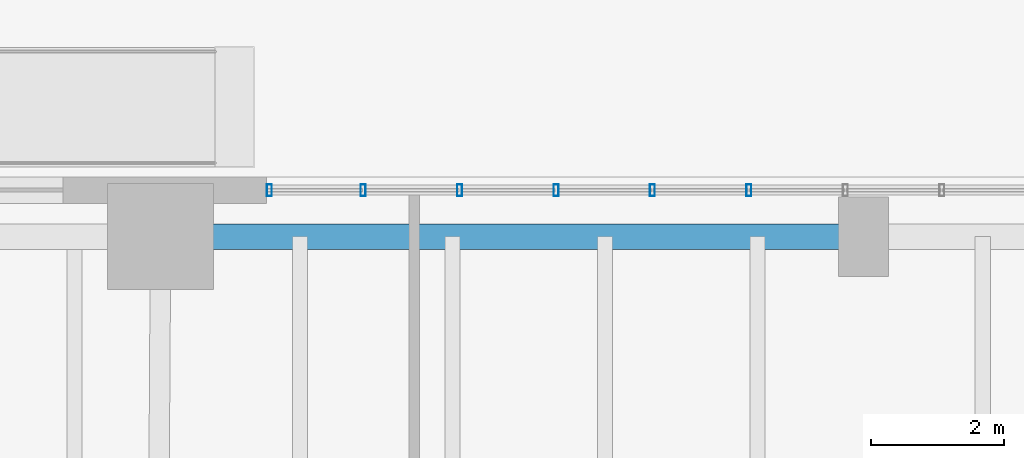
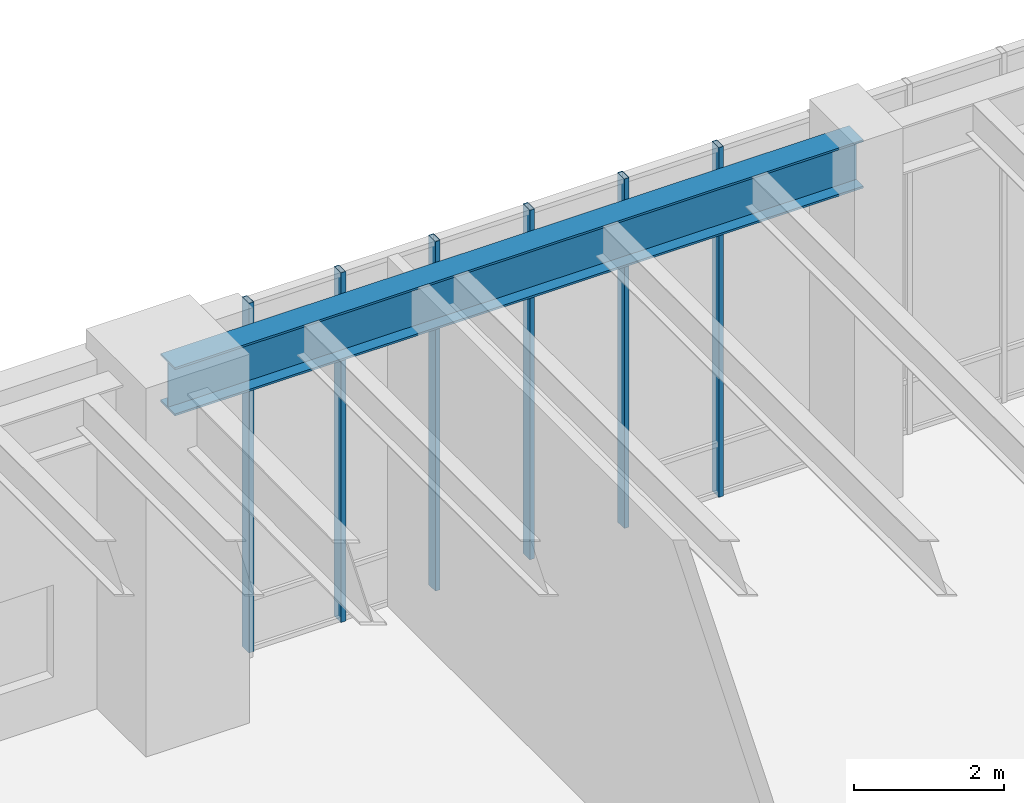
# One storey, part 9 of 28: 6 members, 1 beam, 1 element without a shape of its own.
"""IFC4 building model written with IfcOpenShell, lengths in metres."""

from ifc_helpers import new_model, si_unit, direction, frame, origin, origin_2d, place, context, subcontext, project, spatial, hollow_rectangle, i_section, extrude, material, layer, layer_set, material_profile, profile_set, type_object, element, aggregate, save


model = new_model("IFC4")

# Units and contexts
model_context = context("Model", 3, precision=1e-05, world=origin(), true_north=direction((0.0, 1.0)))
body_context = subcontext(model_context, "Body", "Model", "MODEL_VIEW")
ifc_project = project(units=[si_unit("LENGTHUNIT", "METRE"), si_unit("AREAUNIT", "SQUARE_METRE"), si_unit("VOLUMEUNIT", "CUBIC_METRE"), si_unit("PLANEANGLEUNIT", "RADIAN"), si_unit("MASSUNIT", "GRAM", prefix="KILO"), si_unit("THERMODYNAMICTEMPERATUREUNIT", "KELVIN"), si_unit("POWERUNIT", "WATT")], contexts=[model_context])

# Site, building, storey
site_placement = place(None, origin())
site = spatial("IfcSite", under=ifc_project, at=site_placement, CompositionType="ELEMENT")
building_placement = place(site_placement, origin())
building = spatial("IfcBuilding", under=site, at=building_placement, Name="Skarre Station Tower", CompositionType="ELEMENT")
storey_placement = place(building_placement, origin())
storey = spatial("IfcBuildingStorey", under=building, at=storey_placement, Name="L01", CompositionType="ELEMENT", Elevation=0.0)

# Curtain wall, members
ifc_material_1 = material(Name="Thermally Broken Bronze-Anodized Aluminium & Triple Low-E Glass", Category="aluminium")
ifc_layer = layer(ifc_material_1, 0.239990234375, Name="Thermally Broken Bronze-Anodized Aluminium & Triple Low-E Glass")
ifc_layer_set = layer_set([ifc_layer], Name="Thermally Broken Bronze-Anodized Aluminium & Triple Low-E Glass")
curtain_wall_type = type_object("IfcCurtainWallType", Name="Station Concourse Monumental Unitised Curtain Wall", PredefinedType="NOTDEFINED", material=ifc_layer_set)
curtain_wall_placement = place(storey_placement, origin())
curtain_wall = element("IfcCurtainWall", 1, at=curtain_wall_placement, inside=storey, type_object=curtain_wall_type, Name="L01 North Arcade West Curtain Wall", PredefinedType="NOTDEFINED")
ifc_material_2 = material(Name="Anodized Aluminium 6063-T6", Category="aluminium")
ifc_material_profile_1 = material_profile(ifc_material_2, hollow_rectangle(XDim=0.074951171875, YDim=0.179931640625, WallThickness=0.00390625, at=origin_2d()), Name="Anodized Aluminium 6063-T6")
ifc_profile_set_1 = profile_set([ifc_material_profile_1], Name="Anodized Aluminium 6063-T6")
member_type = type_object("IfcMemberType", Name="Curtain-Wall Heavy Concourse Mullion 180x75", PredefinedType="MULLION", material=ifc_profile_set_1)
member_1_placement = place(storey_placement, frame((18.0400390625, 47.800048828125, 0.0), z_axis=(0.0, 0.0, 1.0), x_axis=(1.0, 0.0, 0.0)))
member_1 = element("IfcMember", 2, at=member_1_placement, type_object=member_type, Name="L01 North Arcade West Curtain Wall Mullion 1", PredefinedType="MULLION", context=body_context, shape_type="SweptSolid", body=[
    extrude(hollow_rectangle(XDim=0.074951171875, YDim=0.179931640625, WallThickness=0.00390625, at=origin_2d()), origin(), (0.0, 0.0, 1.0), 5.68994140625),
])
member_2_placement = place(storey_placement, frame((19.455078125, 47.800048828125, 0.0), z_axis=(0.0, 0.0, 1.0), x_axis=(1.0, 0.0, 0.0)))
member_2 = element("IfcMember", 3, at=member_2_placement, type_object=member_type, Name="L01 North Arcade West Curtain Wall Mullion 2", PredefinedType="MULLION", context=body_context, shape_type="SweptSolid", body=[
    extrude(hollow_rectangle(XDim=0.074951171875, YDim=0.179931640625, WallThickness=0.00390625, at=origin_2d()), origin(), (0.0, 0.0, 1.0), 5.68994140625),
])
member_3_placement = place(storey_placement, frame((20.908935546875, 47.800048828125, 0.0), z_axis=(0.0, 0.0, 1.0), x_axis=(1.0, 0.0, 0.0)))
member_3 = element("IfcMember", 4, at=member_3_placement, type_object=member_type, Name="L01 North Arcade West Curtain Wall Mullion 3", PredefinedType="MULLION", context=body_context, shape_type="SweptSolid", body=[
    extrude(hollow_rectangle(XDim=0.074951171875, YDim=0.179931640625, WallThickness=0.00390625, at=origin_2d()), origin(), (0.0, 0.0, 1.0), 5.68994140625),
])
member_4_placement = place(storey_placement, frame((22.364013671875, 47.800048828125, 0.0), z_axis=(0.0, 0.0, 1.0), x_axis=(1.0, 0.0, 0.0)))
member_4 = element("IfcMember", 5, at=member_4_placement, type_object=member_type, Name="L01 North Arcade West Curtain Wall Mullion 4", PredefinedType="MULLION", context=body_context, shape_type="SweptSolid", body=[
    extrude(hollow_rectangle(XDim=0.074951171875, YDim=0.179931640625, WallThickness=0.00390625, at=origin_2d()), origin(), (0.0, 0.0, 1.0), 5.68994140625),
])
member_5_placement = place(storey_placement, frame((23.818115234375, 47.800048828125, 0.0), z_axis=(0.0, 0.0, 1.0), x_axis=(1.0, 0.0, 0.0)))
member_5 = element("IfcMember", 6, at=member_5_placement, type_object=member_type, Name="L01 North Arcade West Curtain Wall Mullion 5", PredefinedType="MULLION", context=body_context, shape_type="SweptSolid", body=[
    extrude(hollow_rectangle(XDim=0.074951171875, YDim=0.179931640625, WallThickness=0.00390625, at=origin_2d()), origin(), (0.0, 0.0, 1.0), 5.68994140625),
])
member_6_placement = place(storey_placement, frame((25.27294921875, 47.800048828125, 0.0), z_axis=(0.0, 0.0, 1.0), x_axis=(1.0, 0.0, 0.0)))
member_6 = element("IfcMember", 7, at=member_6_placement, type_object=member_type, Name="L01 North Arcade West Curtain Wall Mullion 6", PredefinedType="MULLION", context=body_context, shape_type="SweptSolid", body=[
    extrude(hollow_rectangle(XDim=0.074951171875, YDim=0.179931640625, WallThickness=0.00390625, at=origin_2d()), origin(), (0.0, 0.0, 1.0), 5.68994140625),
])
aggregate(curtain_wall, [member_1, member_2, member_3, member_4, member_5, member_6])

# Beam
ifc_material_3 = material(Name="Steel ASTM A992 Grade 50", Category="steel")
ifc_material_profile_2 = material_profile(ifc_material_3, i_section(OverallWidth=0.384033203125, OverallDepth=0.785888671875, WebThickness=0.02001953125, FlangeThickness=0.032958984375, at=origin_2d()), Name="Steel ASTM A992 Grade 50")
ifc_profile_set_2 = profile_set([ifc_material_profile_2], Name="Steel ASTM A992 Grade 50")
beam_type = type_object("IfcBeamType", Name="Steel Spandrel W30X211", PredefinedType="SPANDREL", material=ifc_profile_set_2)
beam_placement = place(storey_placement, frame((16.39990234375, 47.10009765625, 5.297119140625), z_axis=(1.0, 0.0, 0.0), x_axis=(0.0, 1.0, 0.0)))
element("IfcBeam", 8, at=beam_placement, inside=storey, type_object=beam_type, Name="L01 North Podium Spandrel 3", PredefinedType="SPANDREL", context=body_context, shape_type="SweptSolid", body=[
    extrude(i_section(OverallWidth=0.384033203125, OverallDepth=0.785888671875, WebThickness=0.02001953125, FlangeThickness=0.032958984375, at=origin_2d()), origin(), (0.0, 0.0, 1.0), 10.60009765625),
])

save(model, "model.ifc")
